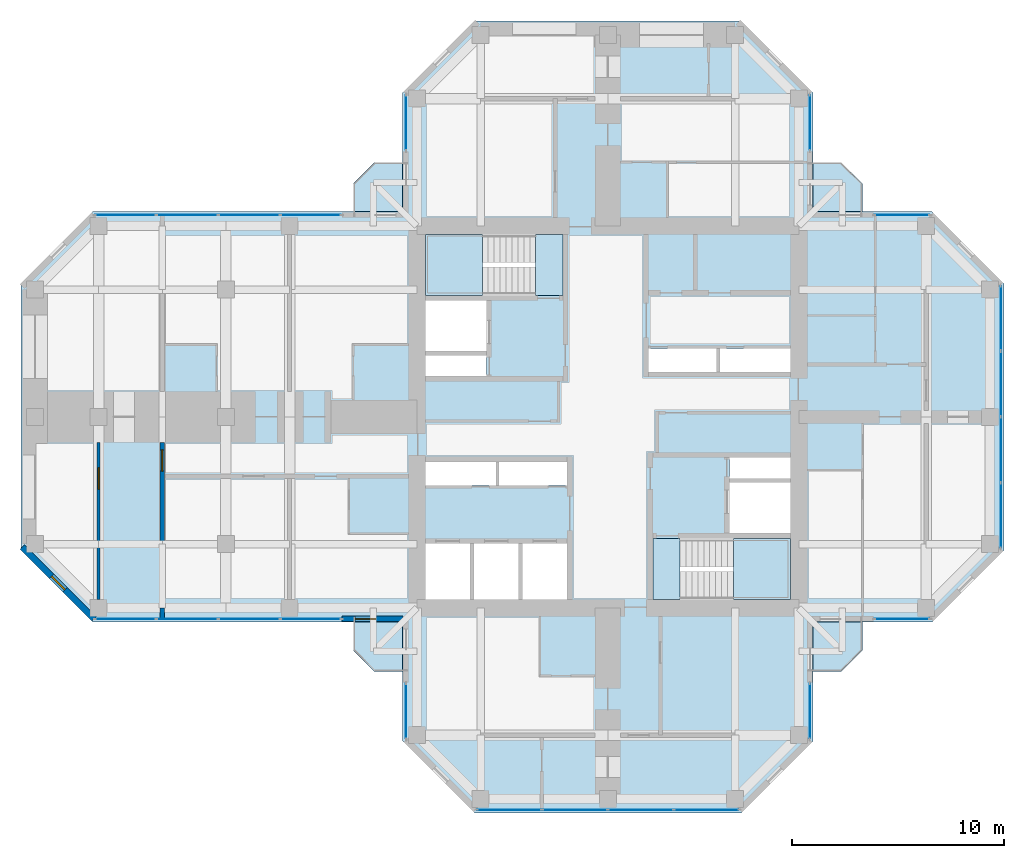
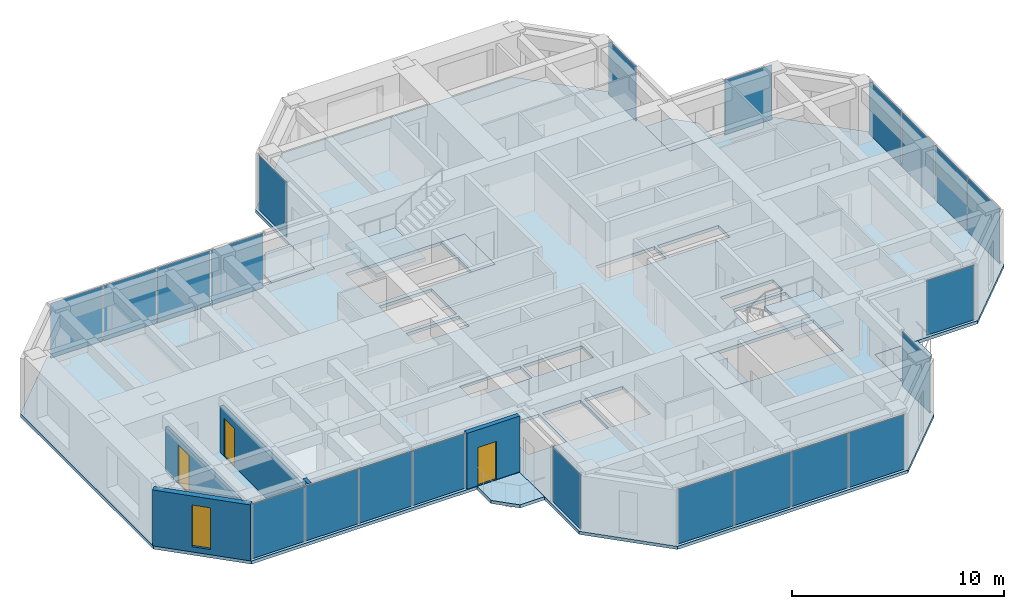
# One storey, part 7 of 13: 22 plates, 9 slabs, 5 walls, 3 doors, 1 window, 4 openings, 12 elements without a shape of their own.
"""IFC4 building model written with IfcOpenShell, lengths in metres."""

from ifc_helpers import new_model, si_unit, direction, frame, frame_2d, origin, origin_2d, place, context, subcontext, project, spatial, polyline, rectangle, hollow_rectangle, outline, extrude, material, layer, layer_set, constituent, constituent_set, type_object, element, fill, aggregate, save


model = new_model("IFC4")

# Units and contexts
model_context = context("Model", 3, precision=1e-05, world=origin(), true_north=direction((0.0, 1.0)))
body_context = subcontext(model_context, "Body", "Model", "MODEL_VIEW")
ifc_project = project(units=[si_unit("LENGTHUNIT", "METRE"), si_unit("AREAUNIT", "SQUARE_METRE"), si_unit("VOLUMEUNIT", "CUBIC_METRE"), si_unit("PLANEANGLEUNIT", "RADIAN"), si_unit("MASSUNIT", "GRAM", prefix="KILO")], contexts=[model_context])

# Site, building, storey
site_placement = place(None, origin())
site = spatial("IfcSite", under=ifc_project, at=site_placement, CompositionType="ELEMENT")
building_placement = place(site_placement, origin())
building = spatial("IfcBuilding", under=site, at=building_placement, Name="Torre Cruceta", CompositionType="ELEMENT")
storey_placement = place(building_placement, frame((0.0, 0.0, 242.5)))
storey = spatial("IfcBuildingStorey", under=building, at=storey_placement, Name="L62", CompositionType="ELEMENT", Elevation=242.5)

# Slabs
ifc_material_1 = material(Name="Concrete G35 (fck 35 MPa)", Category="concrete")
ifc_layer_1 = layer(ifc_material_1, 0.179931640625)
ifc_layer_set_1 = layer_set([ifc_layer_1], Name="Concrete G35 (fck 35 MPa)")
slab_type_1 = type_object("IfcSlabType", Name="BALCONY SLAB 180", PredefinedType="USERDEFINED", material=ifc_layer_set_1)
slab_1_placement = place(storey_placement, frame((0.0, 0.0, -0.179931640625)))
element("IfcSlab", 1, at=slab_1_placement, inside=storey, type_object=slab_type_1, Name="Balcony slab L62 N", ObjectType="BALCONY", PredefinedType="USERDEFINED", context=body_context, shape_type="SweptSolid", body=[
    extrude(outline(polyline([(-12.0, 11.0), (-11.0, 12.0), (-9.669921875, 12.0), (-9.669921875, 9.669921875), (-12.0, 9.669921875), (-12.0, 11.0)])), origin(), (0.0, 0.0, 1.0), 0.179931640625),
])
slab_2_placement = place(storey_placement, frame((0.0, 0.0, -0.179931640625)))
element("IfcSlab", 2, at=slab_2_placement, inside=storey, type_object=slab_type_1, Name="Balcony slab L62 E", ObjectType="BALCONY", PredefinedType="USERDEFINED", context=body_context, shape_type="SweptSolid", body=[
    extrude(outline(polyline([(11.0, 12.0), (12.0, 11.0), (12.0, 9.669921875), (9.669921875, 9.669921875), (9.669921875, 12.0), (11.0, 12.0)])), origin(), (0.0, 0.0, 1.0), 0.179931640625),
])
slab_3_placement = place(storey_placement, frame((0.0, 0.0, -0.179931640625)))
element("IfcSlab", 3, at=slab_3_placement, inside=storey, type_object=slab_type_1, Name="Balcony slab L62 S", ObjectType="BALCONY", PredefinedType="USERDEFINED", context=body_context, shape_type="SweptSolid", body=[
    extrude(outline(polyline([(12.0, -11.0), (11.0, -12.0), (9.669921875, -12.0), (9.669921875, -9.669921875), (12.0, -9.669921875), (12.0, -11.0)])), origin(), (0.0, 0.0, 1.0), 0.179931640625),
])
slab_4_placement = place(storey_placement, frame((0.0, 0.0, -0.179931640625)))
element("IfcSlab", 4, at=slab_4_placement, inside=storey, type_object=slab_type_1, Name="Balcony slab L62 W", ObjectType="BALCONY", PredefinedType="USERDEFINED", context=body_context, shape_type="SweptSolid", body=[
    extrude(outline(polyline([(-11.0, -12.0), (-12.0, -11.0), (-12.0, -9.669921875), (-9.669921875, -9.669921875), (-9.669921875, -12.0), (-11.0, -12.0)])), origin(), (0.0, 0.0, 1.0), 0.179931640625),
])

# Curtain wall, plate
ifc_material_2 = material(Name="Aluminium unitised curtain wall", Category="aluminium")
curtain_wall_type = type_object("IfcCurtainWallType", Name="CURTAIN WALL CW-D CO-LIVING UPPER", PredefinedType="USERDEFINED", material=ifc_material_2)
curtain_wall_1_placement = place(storey_placement, origin())
curtain_wall_1 = element("IfcCurtainWall", 5, at=curtain_wall_1_placement, inside=storey, type_object=curtain_wall_type, Name="CW-D L62 E tip 02", ObjectType="UNITISED", PredefinedType="USERDEFINED")
ifc_material_3 = material(Name="Laminated insulating glass unit, diagonal frit 50 %", Category="glass")
ifc_material_4 = material(Name="Laminated insulating glass unit, diagonal frit 50 %", Category="glass")
ifc_layer_2 = layer(ifc_material_4, 0.028076171875)
ifc_layer_set_2 = layer_set([ifc_layer_2], Name="Laminated insulating glass unit, diagonal frit 50 %")
plate_type_1 = type_object("IfcPlateType", Name="CW-D OPERABLE VENT PANEL 28", PredefinedType="CURTAIN_PANEL", material=ifc_layer_set_2)
plate_1_placement = place(storey_placement, frame((18.52001953125, -1.553955078125, 0.010009765625), z_axis=(0.0, 0.0, 1.0), x_axis=(0.0, 1.0, 0.0)))
plate_1 = element("IfcPlate", 6, at=plate_1_placement, type_object=plate_type_1, material=ifc_material_3, Name="CW-D vent 2", PredefinedType="CURTAIN_PANEL", context=body_context, shape_type="SweptSolid", body=[
    extrude(rectangle(XDim=3.047607421875, YDim=0.028076171875, at=origin_2d()), origin(), (0.0, 0.0, 1.0), 3.14990234375),
])

curtain_wall_2_placement = place(storey_placement, origin())
curtain_wall_2 = element("IfcCurtainWall", 7, at=curtain_wall_2_placement, inside=storey, type_object=curtain_wall_type, Name="CW-D L62 W side 10", ObjectType="UNITISED", PredefinedType="USERDEFINED")
plate_2_placement = place(storey_placement, frame((-16.90576171875, 9.52001953125, 0.010009765625), z_axis=(0.0, 0.0, 1.0), x_axis=(-1.0, 0.0, 0.0)))
plate_2 = element("IfcPlate", 8, at=plate_2_placement, type_object=plate_type_1, material=ifc_material_3, Name="CW-D vent 2", PredefinedType="CURTAIN_PANEL", context=body_context, shape_type="SweptSolid", body=[
    extrude(rectangle(XDim=2.86376953125, YDim=0.028076171875, at=origin_2d()), origin(), (0.0, 0.0, 1.0), 3.14990234375),
])

curtain_wall_3_placement = place(storey_placement, origin())
curtain_wall_3 = element("IfcCurtainWall", 9, at=curtain_wall_3_placement, inside=storey, type_object=curtain_wall_type, Name="CW-D L62 W side 14", ObjectType="UNITISED", PredefinedType="USERDEFINED")
plate_3_placement = place(storey_placement, frame((-19.82958984375, -9.52001953125, 0.010009765625), z_axis=(0.0, 0.0, 1.0), x_axis=(1.0, 0.0, 0.0)))
plate_3 = element("IfcPlate", 10, at=plate_3_placement, type_object=plate_type_1, material=ifc_material_3, Name="CW-D vent 2", PredefinedType="CURTAIN_PANEL", context=body_context, shape_type="SweptSolid", body=[
    extrude(rectangle(XDim=2.86376953125, YDim=0.028076171875, at=origin_2d()), origin(), (0.0, 0.0, 1.0), 3.14990234375),
])

curtain_wall_4_placement = place(storey_placement, origin())
curtain_wall_4 = element("IfcCurtainWall", 11, at=curtain_wall_4_placement, inside=storey, type_object=curtain_wall_type, Name="CW-D L62 S tip 17", ObjectType="UNITISED", PredefinedType="USERDEFINED")
plate_4_placement = place(storey_placement, frame((-1.553955078125, -18.52001953125, 0.010009765625), z_axis=(0.0, 0.0, 1.0), x_axis=(1.0, 0.0, 0.0)))
plate_4 = element("IfcPlate", 12, at=plate_4_placement, type_object=plate_type_1, material=ifc_material_3, Name="CW-D vent 2", PredefinedType="CURTAIN_PANEL", context=body_context, shape_type="SweptSolid", body=[
    extrude(rectangle(XDim=3.047607421875, YDim=0.028076171875, at=origin_2d()), origin(), (0.0, 0.0, 1.0), 3.14990234375),
])

curtain_wall_5_placement = place(storey_placement, origin())
curtain_wall_5 = element("IfcCurtainWall", 13, at=curtain_wall_5_placement, inside=storey, type_object=curtain_wall_type, Name="CW-D L62 E side 00", ObjectType="UNITISED", PredefinedType="USERDEFINED")
ifc_material_5 = material(Name="Laminated insulating glass unit, diagonal frit 50 %", Category="glass")
ifc_layer_3 = layer(ifc_material_5, 0.028076171875)
ifc_layer_set_3 = layer_set([ifc_layer_3], Name="Laminated insulating glass unit, diagonal frit 50 %")
plate_type_2 = type_object("IfcPlateType", Name="CW-D PANEL 28", PredefinedType="CURTAIN_PANEL", material=ifc_layer_set_3)
plate_5_placement = place(storey_placement, frame((13.86767578125, -9.52001953125, 0.010009765625), z_axis=(0.0, 0.0, 1.0), x_axis=(1.0, 0.0, 0.0)))
plate_5 = element("IfcPlate", 14, at=plate_5_placement, type_object=plate_type_2, material=ifc_material_3, Name="CW-D panel 1", PredefinedType="CURTAIN_PANEL", context=body_context, shape_type="SweptSolid", body=[
    extrude(rectangle(XDim=2.575439453125, YDim=0.028076171875, at=origin_2d()), origin(), (0.0, 0.0, 1.0), 3.14990234375),
])
aggregate(curtain_wall_5, [plate_5])

# Plate
plate_6_placement = place(storey_placement, frame((18.52001953125, -4.646484375, 0.010009765625), z_axis=(0.0, 0.0, 1.0), x_axis=(0.0, 1.0, 0.0)))
plate_6 = element("IfcPlate", 15, at=plate_6_placement, type_object=plate_type_2, material=ifc_material_3, Name="CW-D panel 1", PredefinedType="CURTAIN_PANEL", context=body_context, shape_type="SweptSolid", body=[
    extrude(rectangle(XDim=3.017578125, YDim=0.028076171875, at=origin_2d()), origin(), (0.0, 0.0, 1.0), 3.14990234375),
])

plate_7_placement = place(storey_placement, frame((18.52001953125, 1.553955078125, 0.010009765625), z_axis=(0.0, 0.0, 1.0), x_axis=(0.0, 1.0, 0.0)))
plate_7 = element("IfcPlate", 16, at=plate_7_placement, type_object=plate_type_2, material=ifc_material_3, Name="CW-D panel 3", PredefinedType="CURTAIN_PANEL", context=body_context, shape_type="SweptSolid", body=[
    extrude(rectangle(XDim=3.047607421875, YDim=0.028076171875, at=origin_2d()), origin(), (0.0, 0.0, 1.0), 3.14990234375),
])

plate_8_placement = place(storey_placement, frame((18.52001953125, 4.646484375, 0.010009765625), z_axis=(0.0, 0.0, 1.0), x_axis=(0.0, 1.0, 0.0)))
plate_8 = element("IfcPlate", 17, at=plate_8_placement, type_object=plate_type_2, material=ifc_material_3, Name="CW-D panel 4", PredefinedType="CURTAIN_PANEL", context=body_context, shape_type="SweptSolid", body=[
    extrude(rectangle(XDim=3.017578125, YDim=0.028076171875, at=origin_2d()), origin(), (0.0, 0.0, 1.0), 3.14990234375),
])

aggregate(curtain_wall_1, [plate_6, plate_1, plate_7, plate_8])

# Curtain wall, plate
curtain_wall_6_placement = place(storey_placement, origin())
curtain_wall_6 = element("IfcCurtainWall", 18, at=curtain_wall_6_placement, inside=storey, type_object=curtain_wall_type, Name="CW-D L62 E side 04", ObjectType="UNITISED", PredefinedType="USERDEFINED")
plate_9_placement = place(storey_placement, frame((13.86767578125, 9.52001953125, 0.010009765625), z_axis=(0.0, 0.0, 1.0), x_axis=(-1.0, 0.0, 0.0)))
plate_9 = element("IfcPlate", 19, at=plate_9_placement, type_object=plate_type_2, material=ifc_material_3, Name="CW-D panel 1", PredefinedType="CURTAIN_PANEL", context=body_context, shape_type="SweptSolid", body=[
    extrude(rectangle(XDim=2.575439453125, YDim=0.028076171875, at=origin_2d()), origin(), (0.0, 0.0, 1.0), 3.14990234375),
])
aggregate(curtain_wall_6, [plate_9])

curtain_wall_7_placement = place(storey_placement, origin())
curtain_wall_7 = element("IfcCurtainWall", 20, at=curtain_wall_7_placement, inside=storey, type_object=curtain_wall_type, Name="CW-D L62 N side 05", ObjectType="UNITISED", PredefinedType="USERDEFINED")
plate_10_placement = place(storey_placement, frame((9.52001953125, 13.86767578125, 0.010009765625), z_axis=(0.0, 0.0, 1.0), x_axis=(0.0, 1.0, 0.0)))
plate_10 = element("IfcPlate", 21, at=plate_10_placement, type_object=plate_type_2, material=ifc_material_3, Name="CW-D panel 1", PredefinedType="CURTAIN_PANEL", context=body_context, shape_type="SweptSolid", body=[
    extrude(rectangle(XDim=2.575439453125, YDim=0.028076171875, at=origin_2d()), origin(), (0.0, 0.0, 1.0), 3.14990234375),
])
aggregate(curtain_wall_7, [plate_10])

curtain_wall_8_placement = place(storey_placement, origin())
curtain_wall_8 = element("IfcCurtainWall", 22, at=curtain_wall_8_placement, inside=storey, type_object=curtain_wall_type, Name="CW-D L62 N side 09", ObjectType="UNITISED", PredefinedType="USERDEFINED")
plate_11_placement = place(storey_placement, frame((-9.52001953125, 13.86767578125, 0.010009765625), z_axis=(0.0, 0.0, 1.0), x_axis=(0.0, -1.0, 0.0)))
plate_11 = element("IfcPlate", 23, at=plate_11_placement, type_object=plate_type_2, material=ifc_material_3, Name="CW-D panel 1", PredefinedType="CURTAIN_PANEL", context=body_context, shape_type="SweptSolid", body=[
    extrude(rectangle(XDim=2.575439453125, YDim=0.028076171875, at=origin_2d()), origin(), (0.0, 0.0, 1.0), 3.14990234375),
])
aggregate(curtain_wall_8, [plate_11])

# Plate
plate_12_placement = place(storey_placement, frame((-13.996826171875, 9.52001953125, 0.010009765625), z_axis=(0.0, 0.0, 1.0), x_axis=(-1.0, 0.0, 0.0)))
plate_12 = element("IfcPlate", 24, at=plate_12_placement, type_object=plate_type_2, material=ifc_material_3, Name="CW-D panel 1", PredefinedType="CURTAIN_PANEL", context=body_context, shape_type="SweptSolid", body=[
    extrude(rectangle(XDim=2.833740234375, YDim=0.028076171875, at=origin_2d()), origin(), (0.0, 0.0, 1.0), 3.14990234375),
])

plate_13_placement = place(storey_placement, frame((-19.82958984375, 9.52001953125, 0.010009765625), z_axis=(0.0, 0.0, 1.0), x_axis=(-1.0, 0.0, 0.0)))
plate_13 = element("IfcPlate", 25, at=plate_13_placement, type_object=plate_type_2, material=ifc_material_3, Name="CW-D panel 3", PredefinedType="CURTAIN_PANEL", context=body_context, shape_type="SweptSolid", body=[
    extrude(rectangle(XDim=2.86376953125, YDim=0.028076171875, at=origin_2d()), origin(), (0.0, 0.0, 1.0), 3.14990234375),
])

plate_14_placement = place(storey_placement, frame((-22.738525390625, 9.52001953125, 0.010009765625), z_axis=(0.0, 0.0, 1.0), x_axis=(-1.0, 0.0, 0.0)))
plate_14 = element("IfcPlate", 26, at=plate_14_placement, type_object=plate_type_2, material=ifc_material_3, Name="CW-D panel 4", PredefinedType="CURTAIN_PANEL", context=body_context, shape_type="SweptSolid", body=[
    extrude(rectangle(XDim=2.833740234375, YDim=0.028076171875, at=origin_2d()), origin(), (0.0, 0.0, 1.0), 3.14990234375),
])

aggregate(curtain_wall_2, [plate_12, plate_2, plate_13, plate_14])

plate_15_placement = place(storey_placement, frame((-22.738525390625, -9.52001953125, 0.010009765625), z_axis=(0.0, 0.0, 1.0), x_axis=(1.0, 0.0, 0.0)))
plate_15 = element("IfcPlate", 27, at=plate_15_placement, type_object=plate_type_2, material=ifc_material_3, Name="CW-D panel 1", PredefinedType="CURTAIN_PANEL", context=body_context, shape_type="SweptSolid", body=[
    extrude(rectangle(XDim=2.833740234375, YDim=0.028076171875, at=origin_2d()), origin(), (0.0, 0.0, 1.0), 3.14990234375),
])

plate_16_placement = place(storey_placement, frame((-16.90576171875, -9.52001953125, 0.010009765625), z_axis=(0.0, 0.0, 1.0), x_axis=(1.0, 0.0, 0.0)))
plate_16 = element("IfcPlate", 28, at=plate_16_placement, type_object=plate_type_2, material=ifc_material_3, Name="CW-D panel 3", PredefinedType="CURTAIN_PANEL", context=body_context, shape_type="SweptSolid", body=[
    extrude(rectangle(XDim=2.86376953125, YDim=0.028076171875, at=origin_2d()), origin(), (0.0, 0.0, 1.0), 3.14990234375),
])

plate_17_placement = place(storey_placement, frame((-13.996826171875, -9.52001953125, 0.010009765625), z_axis=(0.0, 0.0, 1.0), x_axis=(1.0, 0.0, 0.0)))
plate_17 = element("IfcPlate", 29, at=plate_17_placement, type_object=plate_type_2, material=ifc_material_3, Name="CW-D panel 4", PredefinedType="CURTAIN_PANEL", context=body_context, shape_type="SweptSolid", body=[
    extrude(rectangle(XDim=2.833740234375, YDim=0.028076171875, at=origin_2d()), origin(), (0.0, 0.0, 1.0), 3.14990234375),
])

aggregate(curtain_wall_3, [plate_15, plate_3, plate_16, plate_17])

# Curtain wall, plate
curtain_wall_9_placement = place(storey_placement, origin())
curtain_wall_9 = element("IfcCurtainWall", 30, at=curtain_wall_9_placement, inside=storey, type_object=curtain_wall_type, Name="CW-D L62 S side 15", ObjectType="UNITISED", PredefinedType="USERDEFINED")
plate_18_placement = place(storey_placement, frame((-9.52001953125, -13.86767578125, 0.010009765625), z_axis=(0.0, 0.0, 1.0), x_axis=(0.0, -1.0, 0.0)))
plate_18 = element("IfcPlate", 31, at=plate_18_placement, type_object=plate_type_2, material=ifc_material_3, Name="CW-D panel 1", PredefinedType="CURTAIN_PANEL", context=body_context, shape_type="SweptSolid", body=[
    extrude(rectangle(XDim=2.575439453125, YDim=0.028076171875, at=origin_2d()), origin(), (0.0, 0.0, 1.0), 3.14990234375),
])
aggregate(curtain_wall_9, [plate_18])

# Plate
plate_19_placement = place(storey_placement, frame((-4.646484375, -18.52001953125, 0.010009765625), z_axis=(0.0, 0.0, 1.0), x_axis=(1.0, 0.0, 0.0)))
plate_19 = element("IfcPlate", 32, at=plate_19_placement, type_object=plate_type_2, material=ifc_material_3, Name="CW-D panel 1", PredefinedType="CURTAIN_PANEL", context=body_context, shape_type="SweptSolid", body=[
    extrude(rectangle(XDim=3.017578125, YDim=0.028076171875, at=origin_2d()), origin(), (0.0, 0.0, 1.0), 3.14990234375),
])

plate_20_placement = place(storey_placement, frame((1.553955078125, -18.52001953125, 0.010009765625), z_axis=(0.0, 0.0, 1.0), x_axis=(1.0, 0.0, 0.0)))
plate_20 = element("IfcPlate", 33, at=plate_20_placement, type_object=plate_type_2, material=ifc_material_3, Name="CW-D panel 3", PredefinedType="CURTAIN_PANEL", context=body_context, shape_type="SweptSolid", body=[
    extrude(rectangle(XDim=3.047607421875, YDim=0.028076171875, at=origin_2d()), origin(), (0.0, 0.0, 1.0), 3.14990234375),
])

plate_21_placement = place(storey_placement, frame((4.646484375, -18.52001953125, 0.010009765625), z_axis=(0.0, 0.0, 1.0), x_axis=(1.0, 0.0, 0.0)))
plate_21 = element("IfcPlate", 34, at=plate_21_placement, type_object=plate_type_2, material=ifc_material_3, Name="CW-D panel 4", PredefinedType="CURTAIN_PANEL", context=body_context, shape_type="SweptSolid", body=[
    extrude(rectangle(XDim=3.017578125, YDim=0.028076171875, at=origin_2d()), origin(), (0.0, 0.0, 1.0), 3.14990234375),
])

aggregate(curtain_wall_4, [plate_19, plate_4, plate_20, plate_21])

# Curtain wall, plate
curtain_wall_10_placement = place(storey_placement, origin())
curtain_wall_10 = element("IfcCurtainWall", 35, at=curtain_wall_10_placement, inside=storey, type_object=curtain_wall_type, Name="CW-D L62 S side 19", ObjectType="UNITISED", PredefinedType="USERDEFINED")
plate_22_placement = place(storey_placement, frame((9.52001953125, -13.86767578125, 0.010009765625), z_axis=(0.0, 0.0, 1.0), x_axis=(0.0, 1.0, 0.0)))
plate_22 = element("IfcPlate", 36, at=plate_22_placement, type_object=plate_type_2, material=ifc_material_3, Name="CW-D panel 1", PredefinedType="CURTAIN_PANEL", context=body_context, shape_type="SweptSolid", body=[
    extrude(rectangle(XDim=2.575439453125, YDim=0.028076171875, at=origin_2d()), origin(), (0.0, 0.0, 1.0), 3.14990234375),
])
aggregate(curtain_wall_10, [plate_22])

# Slab
ifc_material_6 = material(Name="Concrete G35 (fck 35 MPa)", Category="concrete")
ifc_layer_4 = layer(ifc_material_6, 0.179931640625)
ifc_layer_set_4 = layer_set([ifc_layer_4], Name="Concrete G35 (fck 35 MPa)")
slab_type_2 = type_object("IfcSlabType", Name="FLOOR SLAB 180", PredefinedType="FLOOR", material=ifc_layer_set_4)
slab_5_placement = place(storey_placement, frame((0.0, 0.0, -0.179931640625)))
element("IfcSlab", 37, at=slab_5_placement, inside=storey, type_object=slab_type_2, Name="Floor Slab L62", PredefinedType="FLOOR", context=body_context, shape_type="SweptSolid", body=[
    extrude(outline(polyline([(9.669921875, -9.669921875), (9.669921875, -15.277587890625), (6.277587890625, -18.669921875), (-6.277587890625, -18.669921875), (-9.669921875, -15.277587890625), (-9.669921875, -9.669921875), (-24.277587890625, -9.669921875), (-27.669921875, -6.277587890625), (-27.669921875, 6.277587890625), (-24.277587890625, 9.669921875), (-9.669921875, 9.669921875), (-9.669921875, 15.277587890625), (-6.277587890625, 18.669921875), (6.277587890625, 18.669921875), (9.669921875, 15.277587890625), (9.669921875, 9.669921875), (15.277587890625, 9.669921875), (18.669921875, 6.277587890625), (18.669921875, -6.277587890625), (15.277587890625, -9.669921875), (9.669921875, -9.669921875)]), holes=[polyline([(1.925048828125, 2.125), (5.125, 2.125), (5.125, 3.22509765625), (1.925048828125, 3.22509765625), (1.925048828125, 2.125)]), polyline([(5.27490234375, 2.125), (8.60009765625, 2.125), (8.60009765625, 3.22509765625), (5.27490234375, 3.22509765625), (5.27490234375, 2.125)]), polyline([(-8.60009765625, 3.10009765625), (-5.72509765625, 3.10009765625), (-5.72509765625, 5.47509765625), (-8.60009765625, 5.47509765625), (-8.60009765625, 3.10009765625)]), polyline([(-8.60009765625, 1.925048828125), (-5.72509765625, 1.925048828125), (-5.72509765625, 2.89990234375), (-8.60009765625, 2.89990234375), (-8.60009765625, 1.925048828125)]), polyline([(-4.0166015625, -8.60009765625), (-1.925048828125, -8.60009765625), (-1.925048828125, -5.97509765625), (-4.0166015625, -5.97509765625), (-4.0166015625, -8.60009765625)]), polyline([(-6.308349609375, -8.60009765625), (-4.216552734375, -8.60009765625), (-4.216552734375, -5.97509765625), (-6.308349609375, -5.97509765625), (-6.308349609375, -8.60009765625)]), polyline([(-8.60009765625, -8.60009765625), (-6.50830078125, -8.60009765625), (-6.50830078125, -5.97509765625), (-8.60009765625, -5.97509765625), (-8.60009765625, -8.60009765625)]), polyline([(-5.125, -3.22509765625), (-1.925048828125, -3.22509765625), (-1.925048828125, -2.125), (-5.125, -2.125), (-5.125, -3.22509765625)]), polyline([(-8.60009765625, -3.22509765625), (-5.27490234375, -3.22509765625), (-5.27490234375, -2.125), (-8.60009765625, -2.125), (-8.60009765625, -3.22509765625)]), polyline([(5.72509765625, -5.47509765625), (8.60009765625, -5.47509765625), (8.60009765625, -3.10009765625), (5.72509765625, -3.10009765625), (5.72509765625, -5.47509765625)]), polyline([(5.72509765625, -2.89990234375), (8.60009765625, -2.89990234375), (8.60009765625, -1.925048828125), (5.72509765625, -1.925048828125), (5.72509765625, -2.89990234375)]), polyline([(-8.60009765625, 5.72509765625), (-8.60009765625, 8.60009765625), (-3.39990234375, 8.60009765625), (-2.125, 8.60009765625), (-2.125, 5.72509765625), (-3.39990234375, 5.72509765625), (-8.60009765625, 5.72509765625)]), polyline([(2.125, -5.72509765625), (3.39990234375, -5.72509765625), (8.60009765625, -5.72509765625), (8.60009765625, -8.60009765625), (3.39990234375, -8.60009765625), (2.125, -8.60009765625), (2.125, -5.72509765625)])]), origin(), (0.0, 0.0, 1.0), 0.179931640625),
])

# Stair, slab
ifc_material_7 = material(Name="Concrete G30 (fck 30 MPa)", Category="concrete")
stair_type = type_object("IfcStairType", Name="STAIR HALF-TURN 1300", PredefinedType="HALF_TURN_STAIR", material=ifc_material_7)
stair_1_placement = place(storey_placement, origin())
stair_1 = element("IfcStair", 38, at=stair_1_placement, inside=storey, type_object=stair_type, Name="Stair ST1 L62", PredefinedType="HALF_TURN_STAIR")
ifc_material_8 = material(Name="Concrete G30 (fck 30 MPa)", Category="concrete")
ifc_layer_5 = layer(ifc_material_8, 0.199951171875)
ifc_layer_set_5 = layer_set([ifc_layer_5], Name="Concrete G30 (fck 30 MPa)")
slab_type_3 = type_object("IfcSlabType", Name="STAIR LANDING 200", PredefinedType="LANDING", material=ifc_layer_set_5)
slab_6_placement = place(storey_placement, frame((0.0, 0.0, 1.5)))
slab_6 = element("IfcSlab", 39, at=slab_6_placement, type_object=slab_type_3, Name="ST1 landing 1", PredefinedType="LANDING", context=body_context, shape_type="SweptSolid", body=[
    extrude(outline(polyline([(-8.60009765625, 5.72509765625), (-5.919921875, 5.72509765625), (-5.919921875, 8.60009765625), (-8.60009765625, 8.60009765625), (-8.60009765625, 5.72509765625)])), origin(), (0.0, 0.0, 1.0), 0.199951171875),
])
aggregate(stair_1, [slab_6])

stair_2_placement = place(storey_placement, origin())
stair_2 = element("IfcStair", 40, at=stair_2_placement, inside=storey, type_object=stair_type, Name="Stair ST2 L62", PredefinedType="HALF_TURN_STAIR")
slab_7_placement = place(storey_placement, frame((0.0, 0.0, 1.5)))
slab_7 = element("IfcSlab", 41, at=slab_7_placement, type_object=slab_type_3, Name="ST2 landing 1", PredefinedType="LANDING", context=body_context, shape_type="SweptSolid", body=[
    extrude(outline(polyline([(5.919921875, -8.60009765625), (8.60009765625, -8.60009765625), (8.60009765625, -5.72509765625), (5.919921875, -5.72509765625), (5.919921875, -8.60009765625)])), origin(), (0.0, 0.0, 1.0), 0.199951171875),
])
aggregate(stair_2, [slab_7])

# Slabs
slab_8_placement = place(storey_placement, frame((0.0, 0.0, -0.199951171875)))
element("IfcSlab", 42, at=slab_8_placement, inside=storey, type_object=slab_type_3, Name="Stair ST1 floor landing L62", PredefinedType="LANDING", context=body_context, shape_type="SweptSolid", body=[
    extrude(outline(polyline([(-2.125, 8.60009765625), (-2.125, 5.72509765625), (-3.39990234375, 5.72509765625), (-3.39990234375, 8.60009765625), (-2.125, 8.60009765625)])), origin(), (0.0, 0.0, 1.0), 0.199951171875),
])
slab_9_placement = place(storey_placement, frame((0.0, 0.0, -0.199951171875)))
element("IfcSlab", 43, at=slab_9_placement, inside=storey, type_object=slab_type_3, Name="Stair ST2 floor landing L62", PredefinedType="LANDING", context=body_context, shape_type="SweptSolid", body=[
    extrude(outline(polyline([(2.125, -8.60009765625), (2.125, -5.72509765625), (3.39990234375, -5.72509765625), (3.39990234375, -8.60009765625), (2.125, -8.60009765625)])), origin(), (0.0, 0.0, 1.0), 0.199951171875),
])

# Wall, opening, window
ifc_material_9 = material(Name="Concrete G30 (fck 30 MPa)", Category="concrete")
ifc_layer_6 = layer(ifc_material_9, 0.300048828125)
ifc_layer_set_6 = layer_set([ifc_layer_6], Name="Concrete G30 (fck 30 MPa)")
wall_type_1 = type_object("IfcWallType", Name="EXPOSED CONCRETE FACADE WALL 300", PredefinedType="SOLIDWALL", material=ifc_layer_set_6)
wall_1_placement = place(storey_placement, frame((-27.60009765625, -6.135498046875, 0.0), z_axis=(0.0, 0.0, 1.0), x_axis=(0.707132283189, -0.707081278264, 0.0)))
wall_1 = element("IfcWall", 44, at=wall_1_placement, inside=storey, type_object=wall_type_1, Name="EW1 facade wall L62 W chamfer 13", PredefinedType="SOLIDWALL", context=body_context, shape_type="SweptSolid", body=[
    extrude(rectangle(XDim=4.78662109375, YDim=0.300048828125, at=frame_2d((2.393310546875, 0.0))), origin(), (0.0, 0.0, 1.0), 3.219970703125),
])
opening_1_placement = place(wall_1_placement, frame((1.943359375, 0.0, 0.300048828125)))
opening_1 = element("IfcOpeningElement", 45, at=opening_1_placement, cuts=wall_1, Name="Opening WN5", PredefinedType="OPENING", context=body_context, shape_type="SweptSolid", body=[
    extrude(rectangle(XDim=0.89990234375, YDim=2.39990234375, at=frame_2d((0.449951171875, 1.199951171875))), frame((0.0, 0.159912109375, 0.0), z_axis=(0.0, -1.0, 0.0), x_axis=(1.0, 0.0, 0.0)), (0.0, 0.0, 1.0), 0.320068359375),
])
ifc_material_10 = material(Name="Aluminium window frame", Category="aluminium")
ifc_constituent_1 = constituent(ifc_material_10, Name="Frame")
ifc_material_11 = material(Name="Laminated insulating glass unit, low-iron clear", Category="glass")
ifc_constituent_2 = constituent(ifc_material_11, Name="Glazing")
ifc_constituent_set_1 = constituent_set(constituents=[ifc_constituent_1, ifc_constituent_2], Name="Aluminium window")
window_type = type_object("IfcWindowType", Name="CHAMFER SLOT WINDOW 900X2400", PartitioningType="SINGLE_PANEL", PredefinedType="WINDOW", material=ifc_constituent_set_1)
window_placement = place(opening_1_placement, origin())
window = element("IfcWindow", 46, at=window_placement, inside=storey, type_object=window_type, Name="WN5 L62 W 1", OverallHeight=2.39990234375, OverallWidth=0.89990234375, PartitioningType="SINGLE_PANEL", PredefinedType="WINDOW", context=body_context, shape_type="SweptSolid", body=[
    extrude(hollow_rectangle(XDim=0.89990234375, YDim=2.39990234375, WallThickness=0.06005859375, at=frame_2d((0.449951171875, 1.199951171875))), frame((0.0, 0.030029296875, 0.0), z_axis=(0.0, -1.0, 0.0), x_axis=(1.0, 0.0, 0.0)), (0.0, 0.0, 1.0), 0.06005859375),
    extrude(rectangle(XDim=0.77880859375, YDim=2.27880859375, at=frame_2d((0.449951171875, 1.199951171875))), frame((0.0, 0.030029296875, 0.0), z_axis=(0.0, -1.0, 0.0), x_axis=(1.0, 0.0, 0.0)), (0.0, 0.0, 1.0), 0.06005859375),
])
fill(opening_1, window)

# Wall, opening, door
ifc_material_12 = material(Name="Plasterboard on steel studs", Category="steel")
ifc_layer_7 = layer(ifc_material_12, 0.14990234375)
ifc_layer_set_7 = layer_set([ifc_layer_7], Name="Plasterboard on steel studs")
wall_type_2 = type_object("IfcWallType", Name="PARTITION 150", PredefinedType="PARTITIONING", material=ifc_layer_set_7)
wall_2_placement = place(storey_placement, frame((-24.0, -1.199951171875, 0.0), z_axis=(0.0, 0.0, 1.0), x_axis=(0.0, -1.0, 0.0)))
wall_2 = element("IfcWall", 47, at=wall_2_placement, inside=storey, type_object=wall_type_2, Name="PT1 L62-W-ENDX", PredefinedType="PARTITIONING", context=body_context, shape_type="SweptSolid", body=[
    extrude(rectangle(XDim=7.400146484375, YDim=0.14990234375, at=frame_2d((3.7001953125, 0.0))), origin(), (0.0, 0.0, 1.0), 2.52001953125),
])
opening_2_placement = place(wall_2_placement, frame((1.199951171875, 0.0, 0.0)))
opening_2 = element("IfcOpeningElement", 48, at=opening_2_placement, cuts=wall_2, Name="Opening D14", PredefinedType="OPENING", context=body_context, shape_type="SweptSolid", body=[
    extrude(rectangle(XDim=1.0, YDim=2.199951171875, at=frame_2d((0.5, 1.10009765625))), frame((0.0, 0.0849609375, 0.0), z_axis=(0.0, -1.0, 0.0), x_axis=(1.0, 0.0, 0.0)), (0.0, 0.0, 1.0), 0.169921875),
])
ifc_material_13 = material(Name="Steel DX51D", Category="steel")
ifc_constituent_3 = constituent(ifc_material_13, Name="Leaf and frame")
ifc_material_14 = material(Name="Polyester powder coating", Category="paint")
ifc_constituent_4 = constituent(ifc_material_14, Name="Finish")
ifc_material_15 = material(Name="Fire-resisting glass", Category="glass")
ifc_constituent_5 = constituent(ifc_material_15, Name="Vision panel")
ifc_constituent_set_2 = constituent_set(constituents=[ifc_constituent_3, ifc_constituent_4, ifc_constituent_5], Name="Steel fire door with vision panel")
door_type_1 = type_object("IfcDoorType", Name="FIRE DOOR VISION PANEL 1000X2200", OperationType="SINGLE_SWING_RIGHT", PredefinedType="DOOR", material=ifc_constituent_set_2)
door_1_placement = place(opening_2_placement, frame((1.0, 0.0, 0.0), z_axis=(0.0, 0.0, 1.0), x_axis=(-1.0, 0.0, 0.0)))
door_1 = element("IfcDoor", 49, at=door_1_placement, inside=storey, type_object=door_type_1, Name="D14 L62-W-ENDX-D1", OperationType="SINGLE_SWING_RIGHT", OverallHeight=2.199951171875, OverallWidth=1.0, PredefinedType="DOOR", context=body_context, shape_type="SweptSolid", body=[
    extrude(rectangle(XDim=1.0, YDim=2.199951171875, at=frame_2d((0.5, 1.10009765625))), frame((0.0, 0.025146484375, 0.0), z_axis=(0.0, -1.0, 0.0), x_axis=(1.0, 0.0, 0.0)), (0.0, 0.0, 1.0), 0.050048828125),
])
fill(opening_2, door_1)

ifc_material_16 = material(Name="Concrete G25 (fck 25 MPa)", Category="concrete")
ifc_layer_8 = layer(ifc_material_16, 0.199951171875)
ifc_layer_set_8 = layer_set([ifc_layer_8], Name="Concrete G25 (fck 25 MPa)")
wall_type_3 = type_object("IfcWallType", Name="UNIT SEPARATING WALL 200", PredefinedType="SOLIDWALL", material=ifc_layer_set_8)
wall_3_placement = place(storey_placement, frame((-21.0, -1.199951171875, 0.0), z_axis=(0.0, 0.0, 1.0), x_axis=(0.0, -1.0, 0.0)))
wall_3 = element("IfcWall", 50, at=wall_3_placement, inside=storey, type_object=wall_type_3, Name="PT2 L62-W-ENDb", PredefinedType="SOLIDWALL", context=body_context, shape_type="SweptSolid", body=[
    extrude(rectangle(XDim=7.800048828125, YDim=0.199951171875, at=frame_2d((3.89990234375, 0.0))), origin(), (0.0, 0.0, 1.0), 2.669921875),
])
opening_3_placement = place(wall_3_placement, frame((0.35009765625, 0.0, 0.0)))
opening_3 = element("IfcOpeningElement", 51, at=opening_3_placement, cuts=wall_3, Name="Opening D14", PredefinedType="OPENING", context=body_context, shape_type="SweptSolid", body=[
    extrude(rectangle(XDim=1.0, YDim=2.199951171875, at=frame_2d((0.5, 1.10009765625))), frame((0.0, 0.10986328125, 0.0), z_axis=(0.0, -1.0, 0.0), x_axis=(1.0, 0.0, 0.0)), (0.0, 0.0, 1.0), 0.219970703125),
])
door_2_placement = place(opening_3_placement, frame((1.0, 0.0, 0.0), z_axis=(0.0, 0.0, 1.0), x_axis=(-1.0, 0.0, 0.0)))
door_2 = element("IfcDoor", 52, at=door_2_placement, inside=storey, type_object=door_type_1, Name="D14 L62-W-ENDb-D1", OperationType="SINGLE_SWING_RIGHT", OverallHeight=2.199951171875, OverallWidth=1.0, PredefinedType="DOOR", context=body_context, shape_type="SweptSolid", body=[
    extrude(rectangle(XDim=1.0, YDim=2.199951171875, at=frame_2d((0.5, 1.10009765625))), frame((0.0, 0.025146484375, 0.0), z_axis=(0.0, -1.0, 0.0), x_axis=(1.0, 0.0, 0.0)), (0.0, 0.0, 1.0), 0.050048828125),
])
fill(opening_3, door_2)

# Wall
wall_4_placement = place(storey_placement, frame((-21.0, -9.0, 0.0), z_axis=(0.0, 0.0, 1.0), x_axis=(0.0, -1.0, 0.0)))
element("IfcWall", 53, at=wall_4_placement, inside=storey, type_object=wall_type_3, Name="PT2 L62-W-ENDb 2", PredefinedType="SOLIDWALL", context=body_context, shape_type="SweptSolid", body=[
    extrude(rectangle(XDim=0.47998046875, YDim=0.199951171875, at=frame_2d((0.239990234375, 0.0))), origin(), (0.0, 0.0, 1.0), 3.219970703125),
])

# Wall, opening, door
ifc_material_17 = material(Name="Concrete G30 (fck 30 MPa)", Category="concrete")
ifc_layer_9 = layer(ifc_material_17, 0.25)
ifc_layer_set_9 = layer_set([ifc_layer_9], Name="Concrete G30 (fck 30 MPa)")
wall_type_4 = type_object("IfcWallType", Name="WINTER GARDEN WALL 250", PredefinedType="SOLIDWALL", material=ifc_layer_set_9)
wall_5_placement = place(storey_placement, frame((-12.52001953125, -9.52001953125, 0.0), z_axis=(0.0, 0.0, 1.0), x_axis=(1.0, 0.0, 0.0)))
wall_5 = element("IfcWall", 54, at=wall_5_placement, inside=storey, type_object=wall_type_4, Name="EW2 winter garden wall L62 14", PredefinedType="SOLIDWALL", context=body_context, shape_type="SweptSolid", body=[
    extrude(rectangle(XDim=2.875, YDim=0.25, at=frame_2d((1.4375, 0.0))), origin(), (0.0, 0.0, 1.0), 3.219970703125),
])
opening_4_placement = place(wall_5_placement, frame((0.60009765625, 0.0, 0.0)))
opening_4 = element("IfcOpeningElement", 55, at=opening_4_placement, cuts=wall_5, Name="Opening D10", PredefinedType="OPENING", context=body_context, shape_type="SweptSolid", body=[
    extrude(rectangle(XDim=1.0, YDim=2.199951171875, at=frame_2d((0.5, 1.10009765625))), frame((0.0, 0.135009765625, 0.0), z_axis=(0.0, -1.0, 0.0), x_axis=(1.0, 0.0, 0.0)), (0.0, 0.0, 1.0), 0.27001953125),
])
ifc_material_18 = material(Name="Aluminium door frame", Category="aluminium")
ifc_constituent_6 = constituent(ifc_material_18, Name="Frame")
ifc_material_19 = material(Name="Laminated safety glass", Category="glass")
ifc_constituent_7 = constituent(ifc_material_19, Name="Glazing")
ifc_constituent_set_3 = constituent_set(constituents=[ifc_constituent_6, ifc_constituent_7], Name="Aluminium glazed door")
door_type_2 = type_object("IfcDoorType", Name="BALCONY DOOR 1000X2200", OperationType="SINGLE_SWING_RIGHT", PredefinedType="DOOR", material=ifc_constituent_set_3)
door_3_placement = place(opening_4_placement, origin())
door_3 = element("IfcDoor", 56, at=door_3_placement, inside=storey, type_object=door_type_2, Name="D10 balcony door L62 14", OperationType="SINGLE_SWING_RIGHT", OverallHeight=2.199951171875, OverallWidth=1.0, PredefinedType="DOOR", context=body_context, shape_type="SweptSolid", body=[
    extrude(hollow_rectangle(XDim=1.0, YDim=2.199951171875, WallThickness=0.06005859375, at=frame_2d((0.5, 1.10009765625))), frame((0.0, 0.02490234375, 0.0), z_axis=(0.0, -1.0, 0.0), x_axis=(1.0, 0.0, 0.0)), (0.0, 0.0, 1.0), 0.050048828125),
    extrude(rectangle(XDim=0.87890625, YDim=2.078857421875, at=frame_2d((0.5, 1.10009765625))), frame((0.0, 0.02490234375, 0.0), z_axis=(0.0, -1.0, 0.0), x_axis=(1.0, 0.0, 0.0)), (0.0, 0.0, 1.0), 0.050048828125),
])
fill(opening_4, door_3)

save(model, "model.ifc")
